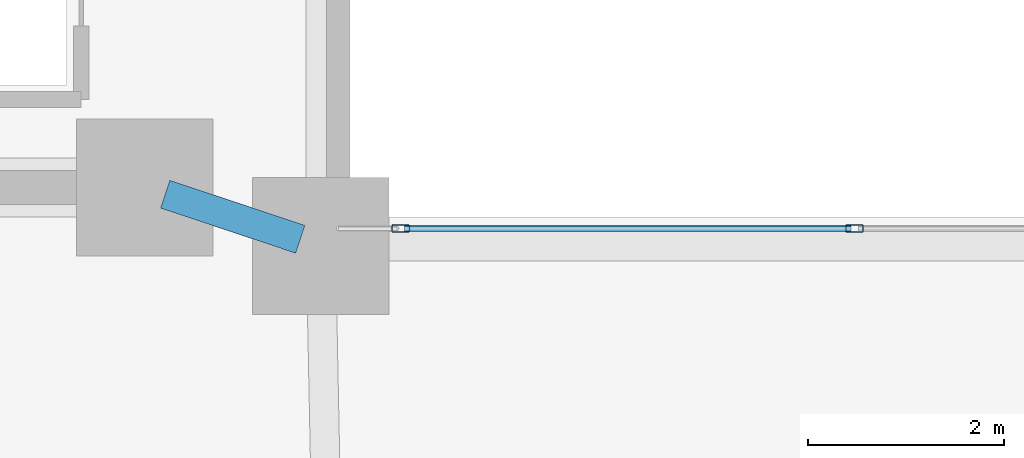
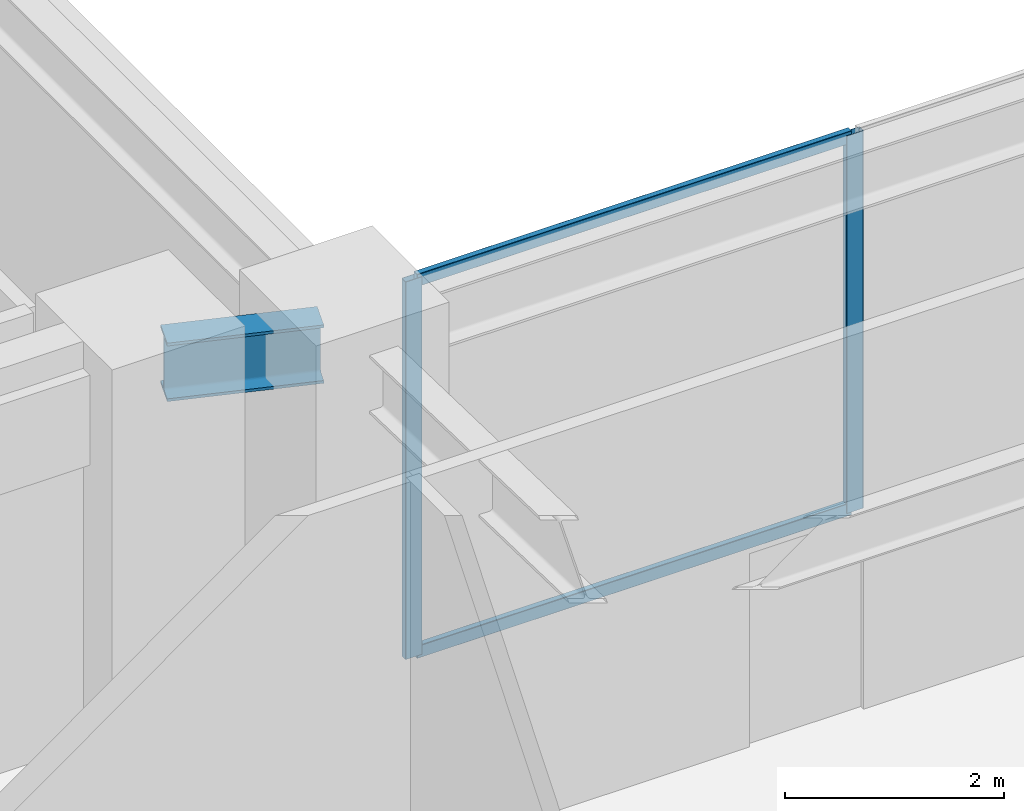
# One storey, part 8 of 39: 4 members, 1 beam, 1 element without a shape of its own.
"""IFC4 building model written with IfcOpenShell, lengths in metres."""

from ifc_helpers import new_model, si_unit, direction, frame, origin, origin_2d, place, context, subcontext, project, spatial, hollow_rectangle, i_section, extrude, material, layer, layer_set, material_profile, profile_set, type_object, element, aggregate, save


model = new_model("IFC4")

# Units and contexts
model_context = context("Model", 3, precision=1e-05, world=origin(), true_north=direction((0.0, 1.0)))
body_context = subcontext(model_context, "Body", "Model", "MODEL_VIEW")
ifc_project = project(units=[si_unit("LENGTHUNIT", "METRE"), si_unit("AREAUNIT", "SQUARE_METRE"), si_unit("VOLUMEUNIT", "CUBIC_METRE"), si_unit("PLANEANGLEUNIT", "RADIAN"), si_unit("MASSUNIT", "GRAM", prefix="KILO")], contexts=[model_context])

# Site, building, storey
site_placement = place(None, origin())
site = spatial("IfcSite", under=ifc_project, at=site_placement, CompositionType="ELEMENT")
building_placement = place(site_placement, origin())
building = spatial("IfcBuilding", under=site, at=building_placement, Name="Tarnavaz Court Tower", CompositionType="ELEMENT")
storey_placement = place(building_placement, frame((0.0, 0.0, 68.699951171875)))
storey = spatial("IfcBuildingStorey", under=building, at=storey_placement, Name="L18", CompositionType="ELEMENT", Elevation=68.699951171875)

# Beam
ifc_material_1 = material(Name="Steel S355", Category="steel")
ifc_material_profile_1 = material_profile(ifc_material_1, i_section(OverallWidth=0.300048828125, OverallDepth=0.64990234375, WebThickness=0.01611328125, FlangeThickness=0.031005859375, FilletRadius=0.027099609375, at=origin_2d()), Name="HEB 650")
ifc_profile_set_1 = profile_set([ifc_material_profile_1], Name="Steel S355")
beam_type = type_object("IfcBeamType", Name="BM-G-HEB650", PredefinedType="USERDEFINED", material=ifc_profile_set_1)
beam_placement = place(storey_placement, frame((-9.391357421875, -7.26953125, 3.875), z_axis=(0.948666544706, -0.316278021615, 0.0), x_axis=(0.316278021615, 0.948666544706, 0.0)))
element("IfcBeam", 1, at=beam_placement, inside=storey, type_object=beam_type, Name="L18 Beam IN-CW-SI-IW-SW", ObjectType="GIRDER", PredefinedType="USERDEFINED", context=body_context, shape_type="SweptSolid", body=[
    extrude(i_section(OverallWidth=0.300048828125, OverallDepth=0.64990234375, WebThickness=0.01611328125, FlangeThickness=0.031005859375, FilletRadius=0.027099609375, at=origin_2d()), origin(), (0.0, 0.0, 1.0), 1.457275390625),
])

# Curtain wall, members
ifc_material_2 = material(Name="Anodised Aluminium 6063-T6 and Solar Low-E Glazing", Category="aluminium")
ifc_layer = layer(ifc_material_2, 0.139892578125)
ifc_layer_set = layer_set([ifc_layer], Name="Anodised Aluminium 6063-T6 and Solar Low-E Glazing")
curtain_wall_type = type_object("IfcCurtainWallType", Name="CW-SYS-04", PredefinedType="NOTDEFINED", material=ifc_layer_set)
curtain_wall_placement = place(storey_placement, origin())
curtain_wall = element("IfcCurtainWall", 2, at=curtain_wall_placement, inside=storey, type_object=curtain_wall_type, Name="L18 Badgir Courtyard Curtain Wall S", PredefinedType="NOTDEFINED")
ifc_material_3 = material(Name="Anodised Aluminium 6063-T6", Category="aluminium")
ifc_material_profile_2 = material_profile(ifc_material_3, hollow_rectangle(XDim=0.074951171875, YDim=0.179931640625, WallThickness=0.0048828125, InnerFilletRadius=0.0048828125, OuterFilletRadius=0.010009765625, at=origin_2d()), Name="ALU RHS 180X75X5")
ifc_profile_set_2 = profile_set([ifc_material_profile_2], Name="Anodised Aluminium 6063-T6")
member_type_1 = type_object("IfcMemberType", Name="CW-MUL-180", PredefinedType="MULLION", material=ifc_profile_set_2)
member_1_placement = place(storey_placement, frame((-6.982421875, -7.6201171875, 0.0), z_axis=(0.0, 0.0, 1.0), x_axis=(0.0, 1.0, 0.0)))
member_1 = element("IfcMember", 3, at=member_1_placement, type_object=member_type_1, Name="CW mullion 1", PredefinedType="MULLION", context=body_context, shape_type="SweptSolid", body=[
    extrude(hollow_rectangle(XDim=0.074951171875, YDim=0.179931640625, WallThickness=0.0048828125, InnerFilletRadius=0.0048828125, OuterFilletRadius=0.010009765625, at=origin_2d()), origin(), (0.0, 0.0, 1.0), 4.199951171875),
])
member_2_placement = place(storey_placement, frame((-2.340087890625, -7.6201171875, 0.0), z_axis=(0.0, 0.0, 1.0), x_axis=(0.0, 1.0, 0.0)))
member_2 = element("IfcMember", 4, at=member_2_placement, type_object=member_type_1, Name="CW mullion 2", PredefinedType="MULLION", context=body_context, shape_type="SweptSolid", body=[
    extrude(hollow_rectangle(XDim=0.074951171875, YDim=0.179931640625, WallThickness=0.0048828125, InnerFilletRadius=0.0048828125, OuterFilletRadius=0.010009765625, at=origin_2d()), origin(), (0.0, 0.0, 1.0), 4.199951171875),
])
ifc_material_profile_3 = material_profile(ifc_material_3, hollow_rectangle(XDim=0.06494140625, YDim=0.139892578125, WallThickness=0.00390625, InnerFilletRadius=0.00390625, OuterFilletRadius=0.008056640625, at=origin_2d()), Name="ALU RHS 140X65X4")
ifc_profile_set_3 = profile_set([ifc_material_profile_3], Name="Anodised Aluminium 6063-T6")
member_type_2 = type_object("IfcMemberType", Name="CW-TRN-140", PredefinedType="USERDEFINED", material=ifc_profile_set_3)
member_3_placement = place(storey_placement, frame((-6.945068359375, -7.6201171875, 0.032470703125), z_axis=(1.0, 0.0, 0.0), x_axis=(0.0, 1.0, 0.0)))
member_3 = element("IfcMember", 5, at=member_3_placement, type_object=member_type_2, Name="CW transom 1.1", ObjectType="TRANSOM", PredefinedType="USERDEFINED", context=body_context, shape_type="SweptSolid", body=[
    extrude(hollow_rectangle(XDim=0.06494140625, YDim=0.139892578125, WallThickness=0.00390625, InnerFilletRadius=0.00390625, OuterFilletRadius=0.008056640625, at=origin_2d()), origin(), (0.0, 0.0, 1.0), 4.567626953125),
])
member_4_placement = place(storey_placement, frame((-6.945068359375, -7.6201171875, 4.16748046875), z_axis=(1.0, 0.0, 0.0), x_axis=(0.0, 1.0, 0.0)))
member_4 = element("IfcMember", 6, at=member_4_placement, type_object=member_type_2, Name="CW transom 1.2", ObjectType="TRANSOM", PredefinedType="USERDEFINED", context=body_context, shape_type="SweptSolid", body=[
    extrude(hollow_rectangle(XDim=0.06494140625, YDim=0.139892578125, WallThickness=0.00390625, InnerFilletRadius=0.00390625, OuterFilletRadius=0.008056640625, at=origin_2d()), origin(), (0.0, 0.0, 1.0), 4.567626953125),
])
aggregate(curtain_wall, [member_1, member_2, member_3, member_4])

save(model, "model.ifc")
